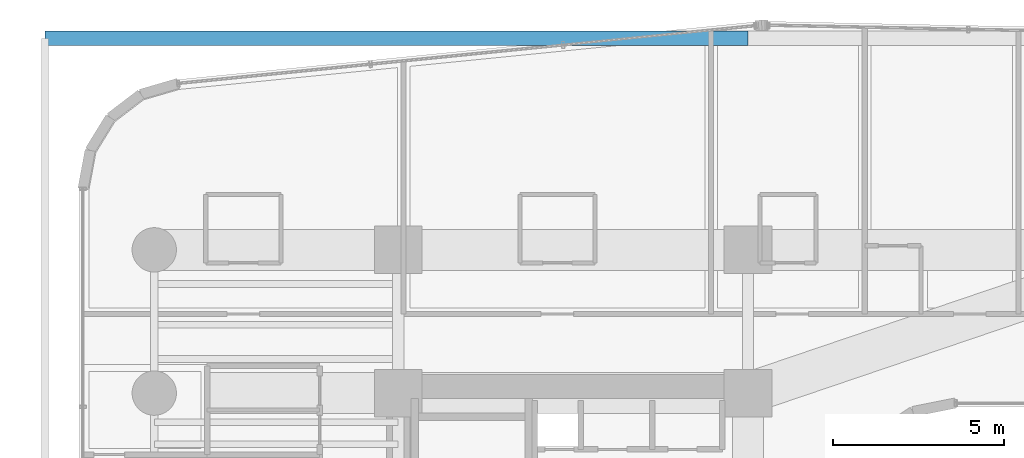
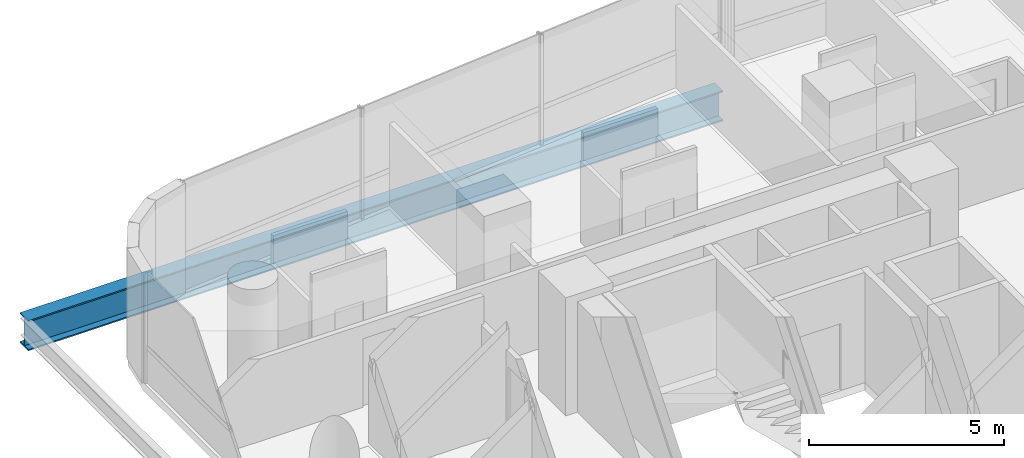
# One storey, part 22 of 50: 1 beam.
"""IFC4 building model written with IfcOpenShell, lengths in metres."""

from ifc_helpers import new_model, si_unit, direction, frame, origin, origin_2d, place, context, subcontext, project, spatial, i_section, extrude, source, transform, mapped, material, material_profile, profile_set, type_object, element, save


model = new_model("IFC4")

# Units and contexts
model_context = context("Model", 3, precision=1e-05, world=origin(), true_north=direction((0.0, 1.0)))
body_context = subcontext(model_context, "Body", "Model", "MODEL_VIEW")
ifc_project = project(units=[si_unit("LENGTHUNIT", "METRE"), si_unit("AREAUNIT", "SQUARE_METRE"), si_unit("VOLUMEUNIT", "CUBIC_METRE"), si_unit("PLANEANGLEUNIT", "RADIAN"), si_unit("MASSUNIT", "GRAM", prefix="KILO")], contexts=[model_context])

# Site, building, storey
site_placement = place(None, origin())
site = spatial("IfcSite", under=ifc_project, at=site_placement, CompositionType="ELEMENT")
building_placement = place(site_placement, origin())
building = spatial("IfcBuilding", under=site, at=building_placement, Name="Valdorenza Pilgrim Sanctuary Tower", CompositionType="ELEMENT")
storey_placement = place(building_placement, frame((0.0, 0.0, 26.0)))
storey = spatial("IfcBuildingStorey", under=building, at=storey_placement, Name="L05", CompositionType="ELEMENT", Elevation=26.0)

# Beam
ifc_material = material(Name="Steel ASTM A992 Grade 50", Category="steel")
ifc_material_profile = material_profile(ifc_material, i_section(OverallWidth=0.423095703125, OverallDepth=0.947998046875, WebThickness=0.02392578125, FlangeThickness=0.042724609375, at=origin_2d()), Name="W36X302")
ifc_profile_set = profile_set([ifc_material_profile], Name="Steel ASTM A992 Grade 50")
beam_type = type_object("IfcBeamType", Name="STR-BM-GRD-W36A", PredefinedType="BEAM", material=ifc_profile_set)
shared_shape = source(origin(), body_context, "Body", "SweptSolid", [
    extrude(i_section(OverallWidth=0.423095703125, OverallDepth=0.947998046875, WebThickness=0.02392578125, FlangeThickness=0.042724609375, at=origin_2d()), origin(), (0.0, 0.0, 1.0), 20.60009765625),
])
beam_placement = place(storey_placement, frame((-33.0, 21.0, -0.714111328125), z_axis=(1.0, 0.0, 0.0), x_axis=(0.0, 1.0, 0.0)))
element("IfcBeam", 1, at=beam_placement, inside=storey, type_object=beam_type, Name="L05 Floor Girder POD-N-TIE1", PredefinedType="BEAM", context=body_context, shape_type="MappedRepresentation", body=[
    mapped(shared_shape, transform((0.0, 0.0, 0.0), x_axis=(1.0, 0.0, 0.0), y_axis=(0.0, 1.0, 0.0), z_axis=(0.0, 0.0, 1.0), scale=1.0)),
])

save(model, "model.ifc")
